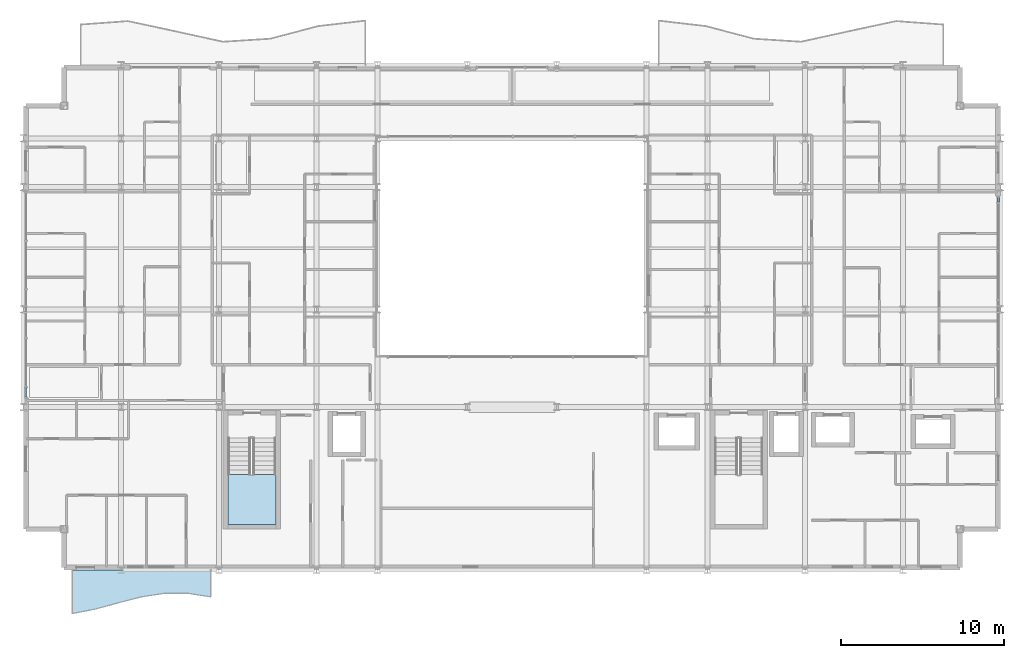
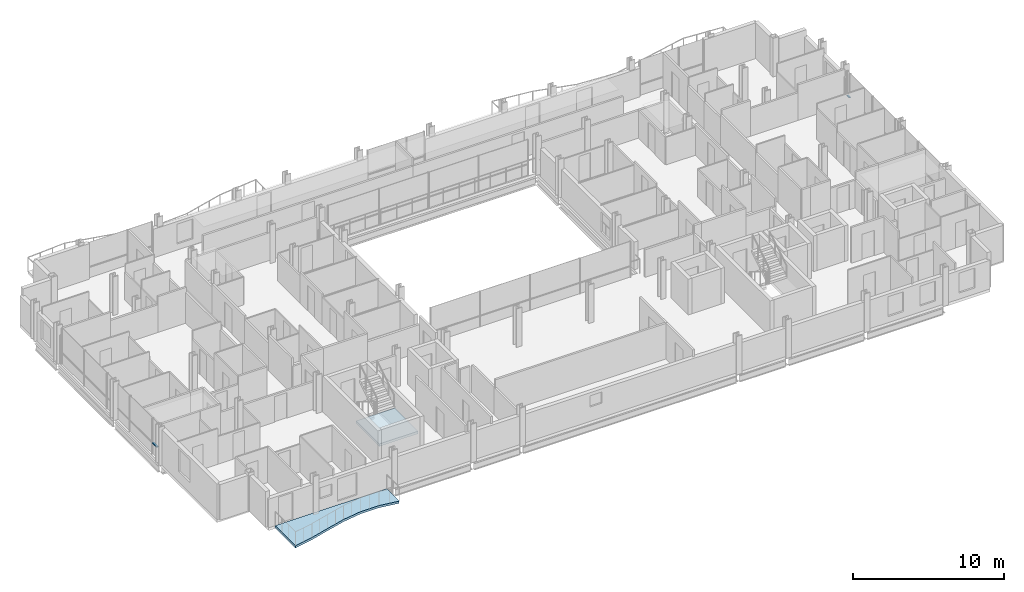
# One storey, part 25 of 41: 2 members, 2 slabs, 3 elements without a shape of their own.
"""IFC4 building model written with IfcOpenShell, lengths in metres."""

from ifc_helpers import new_model, si_unit, direction, frame, origin, origin_2d, place, context, subcontext, project, spatial, polyline, hollow_rectangle, outline, extrude, material, layer, layer_set, material_profile, profile_set, type_object, element, aggregate, save


model = new_model("IFC4")

# Units and contexts
model_context = context("Model", 3, precision=1e-05, world=origin(), true_north=direction((0.0, 1.0)))
body_context = subcontext(model_context, "Body", "Model", "MODEL_VIEW")
ifc_project = project(units=[si_unit("LENGTHUNIT", "METRE"), si_unit("AREAUNIT", "SQUARE_METRE"), si_unit("VOLUMEUNIT", "CUBIC_METRE"), si_unit("PLANEANGLEUNIT", "RADIAN"), si_unit("MASSUNIT", "GRAM", prefix="KILO")], contexts=[model_context])

# Site, building, storey
site_placement = place(None, origin())
site = spatial("IfcSite", under=ifc_project, at=site_placement, CompositionType="ELEMENT")
building_placement = place(site_placement, origin())
building = spatial("IfcBuilding", under=site, at=building_placement, Name="Brevholm Reach", CompositionType="ELEMENT")
storey_placement = place(building_placement, frame((0.0, 0.0, 74.5)))
storey = spatial("IfcBuildingStorey", under=building, at=storey_placement, Name="L21", CompositionType="ELEMENT", Elevation=74.5)

# Curtain wall, member
ifc_material_1 = material(Name="Dark Anodised Aluminium 6063-T6 and Solar-Control Glass", Category="aluminium")
ifc_layer_1 = layer(ifc_material_1, 0.14990234375)
ifc_layer_set_1 = layer_set([ifc_layer_1], Name="Dark Anodised Aluminium 6063-T6 and Solar-Control Glass")
curtain_wall_type = type_object("IfcCurtainWallType", Name="CW-01", PredefinedType="NOTDEFINED", material=ifc_layer_set_1)
curtain_wall_1_placement = place(storey_placement, origin())
curtain_wall_1 = element("IfcCurtainWall", 1, at=curtain_wall_1_placement, inside=storey, type_object=curtain_wall_type, Name="L21 Curtain Wall CW-01", PredefinedType="NOTDEFINED")
ifc_material_2 = material(Name="Dark Anodised Aluminium 6063-T6", Category="aluminium")
ifc_material_profile = material_profile(ifc_material_2, hollow_rectangle(XDim=0.06494140625, YDim=0.14990234375, WallThickness=0.0048828125, InnerFilletRadius=0.0048828125, OuterFilletRadius=0.010009765625, at=origin_2d()), Name="RHS 150x65x5")
ifc_profile_set = profile_set([ifc_material_profile], Name="Dark Anodised Aluminium 6063-T6")
member_type = type_object("IfcMemberType", Name="CWT-150", PredefinedType="NOTDEFINED", material=ifc_profile_set)
member_1_placement = place(storey_placement, frame((0.14990234375, 11.1875, 0.89990234375), z_axis=(0.0, -1.0, 0.0), x_axis=(0.0, 0.0, 1.0)))
member_1 = element("IfcMember", 2, at=member_1_placement, type_object=member_type, Name="CT-150 Transom 5.1", ObjectType="TRANSOM", PredefinedType="USERDEFINED", context=body_context, shape_type="SweptSolid", body=[
    extrude(hollow_rectangle(XDim=0.06494140625, YDim=0.14990234375, WallThickness=0.0048828125, InnerFilletRadius=0.0048828125, OuterFilletRadius=0.010009765625, at=origin_2d()), origin(), (0.0, 0.0, 1.0), 0.572509765625),
])
aggregate(curtain_wall_1, [member_1])

curtain_wall_2_placement = place(storey_placement, origin())
curtain_wall_2 = element("IfcCurtainWall", 3, at=curtain_wall_2_placement, inside=storey, type_object=curtain_wall_type, Name="L21 Curtain Wall CW-01", PredefinedType="NOTDEFINED")
member_2_placement = place(storey_placement, frame((59.85009765625, 22.58251953125, 0.89990234375), z_axis=(0.0, 1.0, 0.0), x_axis=(0.0, 0.0, 1.0)))
member_2 = element("IfcMember", 4, at=member_2_placement, type_object=member_type, Name="CT-150 Transom 5.1", ObjectType="TRANSOM", PredefinedType="USERDEFINED", context=body_context, shape_type="SweptSolid", body=[
    extrude(hollow_rectangle(XDim=0.06494140625, YDim=0.14990234375, WallThickness=0.0048828125, InnerFilletRadius=0.0048828125, OuterFilletRadius=0.010009765625, at=origin_2d()), origin(), (0.0, 0.0, 1.0), 0.302490234375),
])
aggregate(curtain_wall_2, [member_2])

# Slab
ifc_material_3 = material(Name="Precast Concrete C40/50", Category="concrete")
ifc_layer_2 = layer(ifc_material_3, 0.179931640625)
ifc_layer_set_2 = layer_set([ifc_layer_2], Name="Precast Concrete C40/50")
slab_type_1 = type_object("IfcSlabType", Name="SLB-BAL-180", PredefinedType="FLOOR", material=ifc_layer_set_2)
slab_1_placement = place(storey_placement, frame((0.0, 0.0, -0.179931640625)))
element("IfcSlab", 5, at=slab_1_placement, inside=storey, type_object=slab_type_1, Name="L21 Rippling External Balcony SW", PredefinedType="FLOOR", context=body_context, shape_type="SweptSolid", body=[
    extrude(outline(polyline([(3.0, -2.676513671875), (4.416748046875, -2.402099609375), (5.833251953125, -2.01611328125), (7.25, -1.650146484375), (8.666748046875, -1.429443359375), (10.083251953125, -1.429443359375), (11.5, -1.650146484375), (11.5, 0.0), (3.0, 0.0), (3.0, -2.676513671875)])), origin(), (0.0, 0.0, 1.0), 0.179931640625),
])

# Stair, slab
ifc_material_4 = material(Name="Precast Concrete C40/50", Category="concrete")
stair_type = type_object("IfcStairType", Name="STR-ESC-1400", PredefinedType="DOUBLE_RETURN_STAIR", material=ifc_material_4)
stair_placement = place(storey_placement, origin())
stair = element("IfcStair", 6, at=stair_placement, inside=storey, type_object=stair_type, Name="L21 ST-1", PredefinedType="DOUBLE_RETURN_STAIR")
ifc_material_5 = material(Name="Concrete C40/50", Category="concrete")
ifc_layer_3 = layer(ifc_material_5, 0.199951171875)
ifc_layer_set_3 = layer_set([ifc_layer_3], Name="Concrete C40/50")
slab_type_2 = type_object("IfcSlabType", Name="SLB-LND-200", PredefinedType="LANDING", material=ifc_layer_set_3)
slab_2_placement = place(storey_placement, frame((0.0, 0.0, 1.35009765625)))
slab_2 = element("IfcSlab", 7, at=slab_2_placement, type_object=slab_type_2, Name="ST-1 landing 1", PredefinedType="LANDING", context=body_context, shape_type="SweptSolid", body=[
    extrude(outline(polyline([(12.550048828125, 5.860107421875), (12.550048828125, 2.780029296875), (15.5, 2.780029296875), (15.5, 5.860107421875), (12.550048828125, 5.860107421875)])), origin(), (0.0, 0.0, 1.0), 0.199951171875),
])
aggregate(stair, [slab_2])

save(model, "model.ifc")
